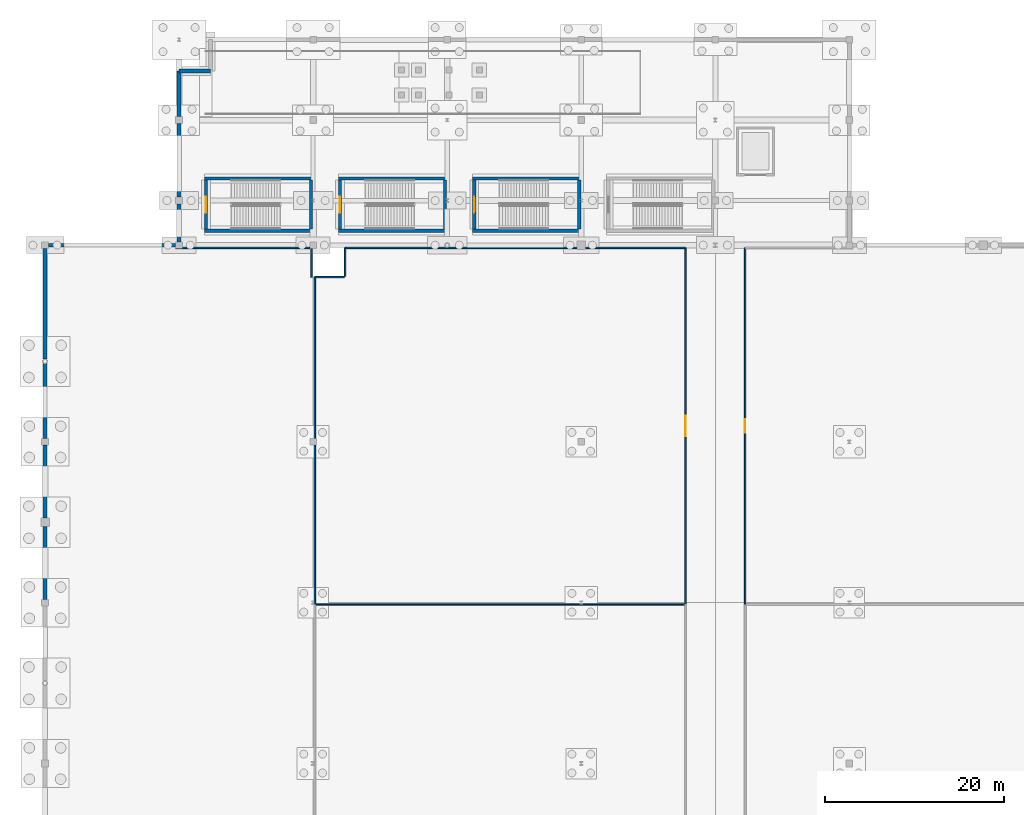
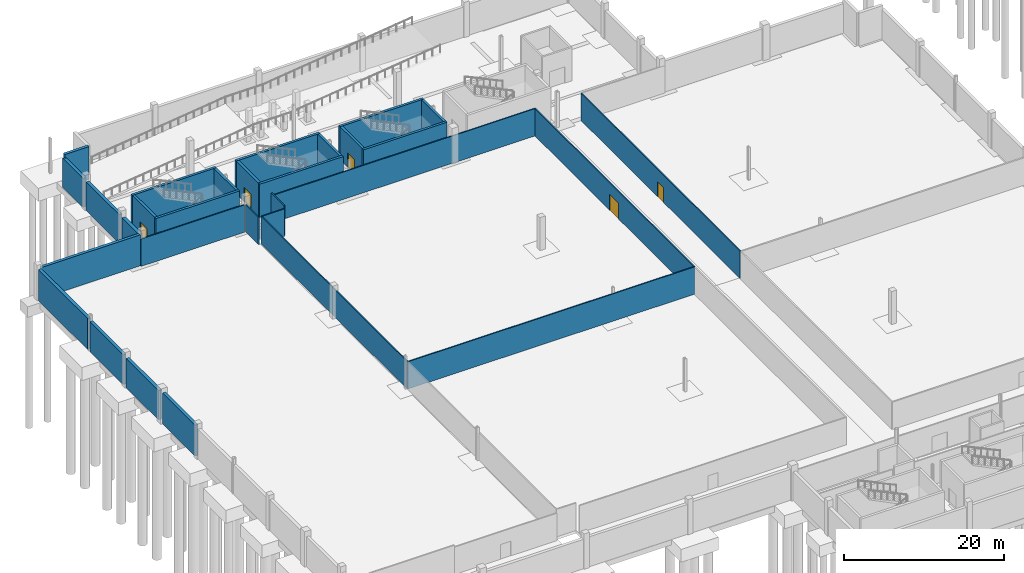
# One storey, part 40 of 58: 30 walls, 5 doors, 5 openings.
"""IFC4 building model written with IfcOpenShell, lengths in metres."""

from ifc_helpers import new_model, si_unit, direction, frame, frame_2d, origin, place, context, subcontext, project, spatial, rectangle, extrude, material, layer, layer_set, type_object, element, fill, save


model = new_model("IFC4")

# Units and contexts
model_context = context("Model", 3, precision=1e-05, world=origin(), true_north=direction((0.0, 1.0)))
body_context = subcontext(model_context, "Body", "Model", "MODEL_VIEW")
ifc_project = project(units=[si_unit("LENGTHUNIT", "METRE"), si_unit("AREAUNIT", "SQUARE_METRE"), si_unit("VOLUMEUNIT", "CUBIC_METRE"), si_unit("PLANEANGLEUNIT", "RADIAN"), si_unit("MASSUNIT", "GRAM", prefix="KILO")], contexts=[model_context])

# Site, building, storey
site_placement = place(None, origin())
site = spatial("IfcSite", under=ifc_project, at=site_placement, CompositionType="ELEMENT")
building_placement = place(site_placement, origin())
building = spatial("IfcBuilding", under=site, at=building_placement, Name="Qamarlyn Nura Convention Centre", CompositionType="ELEMENT")
storey_placement = place(building_placement, frame((0.0, 0.0, -5.39990234375)))
storey = spatial("IfcBuildingStorey", under=building, at=storey_placement, Name="B01", CompositionType="ELEMENT", Elevation=-5.39990234375)

# Walls
ifc_material_1 = material(Name="Concrete C50/60", Category="concrete")
ifc_layer_1 = layer(ifc_material_1, 0.35009765625, Name="WT-CORE-350")
ifc_layer_set_1 = layer_set([ifc_layer_1], Name="Concrete C50/60")
wall_type_1 = type_object("IfcWallType", Name="WT-CORE-350", PredefinedType="SHEAR", material=ifc_layer_set_1)
for number, where, z_axis, x_axis, name in (
    (1, (17.85009765625, 104.625, 0.0), (0.0, 0.0, 1.0), (1.0, 0.0, 0.0), "B01 stair core shear wall ST-01-S"),
    (2, (29.949951171875, 110.47509765625, 0.0), (0.0, 0.0, 1.0), (-1.0, 0.0, 0.0), "B01 stair core shear wall ST-01-N"),
):
    element("IfcWall", number, at=place(storey_placement, frame(where, z_axis=z_axis, x_axis=x_axis)), inside=storey, type_object=wall_type_1, Name=name, PredefinedType="SHEAR", context=body_context, shape_type="SweptSolid", body=[
        extrude(rectangle(XDim=12.099853515625, YDim=0.35009765625, at=frame_2d((6.0498046875, 0.0))), origin(), (0.0, 0.0, 1.0), 5.079833984375),
    ])

# Wall, opening, door
wall_1_placement = place(storey_placement, frame((18.02490234375, 110.300048828125, 0.0), z_axis=(0.0, 0.0, 1.0), x_axis=(0.0, -1.0, 0.0)))
wall_1 = element("IfcWall", 3, at=wall_1_placement, inside=storey, type_object=wall_type_1, Name="B01 stair core shear wall ST-01-W", PredefinedType="SHEAR", context=body_context, shape_type="SweptSolid", body=[
    extrude(rectangle(XDim=5.5, YDim=0.35009765625, at=frame_2d((2.75, 0.0))), origin(), (0.0, 0.0, 1.0), 5.079833984375),
])
opening_1_placement = place(wall_1_placement, frame((1.85009765625, 0.0, 0.0)))
opening_1 = element("IfcOpeningElement", 4, at=opening_1_placement, cuts=wall_1, Name="Opening DS-001", PredefinedType="OPENING", context=body_context, shape_type="SweptSolid", body=[
    extrude(rectangle(XDim=1.800048828125, YDim=2.199951171875, at=frame_2d((0.89990234375, 1.10009765625))), frame((0.0, 0.18505859375, 0.0), z_axis=(0.0, -1.0, 0.0), x_axis=(1.0, 0.0, 0.0)), (0.0, 0.0, 1.0), 0.3701171875),
])
ifc_material_2 = material(Name="Galvanised fire-rated hollow steel door", Category="steel")
door_type_1 = type_object("IfcDoorType", Name="DR-STAIR-1800", OperationType="DOUBLE_DOOR_SINGLE_SWING", PredefinedType="DOOR", material=ifc_material_2)
door_1_placement = place(opening_1_placement, origin())
door_1 = element("IfcDoor", 5, at=door_1_placement, inside=storey, type_object=door_type_1, Name="B01 exit stair door ST-01 (DS-001)", OperationType="DOUBLE_DOOR_SINGLE_SWING", OverallHeight=2.199951171875, OverallWidth=1.800048828125, PredefinedType="DOOR", context=body_context, shape_type="SweptSolid", body=[
    extrude(rectangle(XDim=1.800048828125, YDim=2.199951171875, at=frame_2d((0.89990234375, 1.10009765625))), frame((0.0, 0.02490234375, 0.0), z_axis=(0.0, -1.0, 0.0), x_axis=(1.0, 0.0, 0.0)), (0.0, 0.0, 1.0), 0.050048828125),
])
fill(opening_1, door_1)

# Walls
wall_2_placement = place(storey_placement, frame((29.77490234375, 104.800048828125, 0.0), z_axis=(0.0, 0.0, 1.0), x_axis=(0.0, 1.0, 0.0)))
element("IfcWall", 6, at=wall_2_placement, inside=storey, type_object=wall_type_1, Name="B01 stair core shear wall ST-01-E", PredefinedType="SHEAR", context=body_context, shape_type="SweptSolid", body=[
    extrude(rectangle(XDim=5.5, YDim=0.35009765625, at=frame_2d((2.75, 0.0))), origin(), (0.0, 0.0, 1.0), 5.079833984375),
])
for number, where, z_axis, x_axis, name in (
    (7, (32.85009765625, 104.625, 0.0), (0.0, 0.0, 1.0), (1.0, 0.0, 0.0), "B01 stair core shear wall ST-02-S"),
    (8, (44.949951171875, 110.47509765625, 0.0), (0.0, 0.0, 1.0), (-1.0, 0.0, 0.0), "B01 stair core shear wall ST-02-N"),
):
    element("IfcWall", number, at=place(storey_placement, frame(where, z_axis=z_axis, x_axis=x_axis)), inside=storey, type_object=wall_type_1, Name=name, PredefinedType="SHEAR", context=body_context, shape_type="SweptSolid", body=[
        extrude(rectangle(XDim=12.099853515625, YDim=0.35009765625, at=frame_2d((6.0498046875, 0.0))), origin(), (0.0, 0.0, 1.0), 5.079833984375),
    ])

# Wall, opening, door
wall_3_placement = place(storey_placement, frame((33.02490234375, 110.300048828125, 0.0), z_axis=(0.0, 0.0, 1.0), x_axis=(0.0, -1.0, 0.0)))
wall_3 = element("IfcWall", 9, at=wall_3_placement, inside=storey, type_object=wall_type_1, Name="B01 stair core shear wall ST-02-W", PredefinedType="SHEAR", context=body_context, shape_type="SweptSolid", body=[
    extrude(rectangle(XDim=5.5, YDim=0.35009765625, at=frame_2d((2.75, 0.0))), origin(), (0.0, 0.0, 1.0), 5.079833984375),
])
opening_2_placement = place(wall_3_placement, frame((1.85009765625, 0.0, 0.0)))
opening_2 = element("IfcOpeningElement", 10, at=opening_2_placement, cuts=wall_3, Name="Opening DS-004", PredefinedType="OPENING", context=body_context, shape_type="SweptSolid", body=[
    extrude(rectangle(XDim=1.800048828125, YDim=2.199951171875, at=frame_2d((0.89990234375, 1.10009765625))), frame((0.0, 0.18505859375, 0.0), z_axis=(0.0, -1.0, 0.0), x_axis=(1.0, 0.0, 0.0)), (0.0, 0.0, 1.0), 0.3701171875),
])
door_2_placement = place(opening_2_placement, origin())
door_2 = element("IfcDoor", 11, at=door_2_placement, inside=storey, type_object=door_type_1, Name="B01 exit stair door ST-02 (DS-004)", OperationType="DOUBLE_DOOR_SINGLE_SWING", OverallHeight=2.199951171875, OverallWidth=1.800048828125, PredefinedType="DOOR", context=body_context, shape_type="SweptSolid", body=[
    extrude(rectangle(XDim=1.800048828125, YDim=2.199951171875, at=frame_2d((0.89990234375, 1.10009765625))), frame((0.0, 0.02490234375, 0.0), z_axis=(0.0, -1.0, 0.0), x_axis=(1.0, 0.0, 0.0)), (0.0, 0.0, 1.0), 0.050048828125),
])
fill(opening_2, door_2)

# Walls
wall_4_placement = place(storey_placement, frame((44.77490234375, 104.800048828125, 0.0), z_axis=(0.0, 0.0, 1.0), x_axis=(0.0, 1.0, 0.0)))
element("IfcWall", 12, at=wall_4_placement, inside=storey, type_object=wall_type_1, Name="B01 stair core shear wall ST-02-E", PredefinedType="SHEAR", context=body_context, shape_type="SweptSolid", body=[
    extrude(rectangle(XDim=5.5, YDim=0.35009765625, at=frame_2d((2.75, 0.0))), origin(), (0.0, 0.0, 1.0), 5.079833984375),
])
for number, where, z_axis, x_axis, name in (
    (13, (47.85009765625, 104.625, 0.0), (0.0, 0.0, 1.0), (1.0, 0.0, 0.0), "B01 stair core shear wall ST-03-S"),
    (14, (59.949951171875, 110.47509765625, 0.0), (0.0, 0.0, 1.0), (-1.0, 0.0, 0.0), "B01 stair core shear wall ST-03-N"),
):
    element("IfcWall", number, at=place(storey_placement, frame(where, z_axis=z_axis, x_axis=x_axis)), inside=storey, type_object=wall_type_1, Name=name, PredefinedType="SHEAR", context=body_context, shape_type="SweptSolid", body=[
        extrude(rectangle(XDim=12.099853515625, YDim=0.35009765625, at=frame_2d((6.0498046875, 0.0))), origin(), (0.0, 0.0, 1.0), 5.079833984375),
    ])

# Wall, opening, door
wall_5_placement = place(storey_placement, frame((48.02490234375, 110.300048828125, 0.0), z_axis=(0.0, 0.0, 1.0), x_axis=(0.0, -1.0, 0.0)))
wall_5 = element("IfcWall", 15, at=wall_5_placement, inside=storey, type_object=wall_type_1, Name="B01 stair core shear wall ST-03-W", PredefinedType="SHEAR", context=body_context, shape_type="SweptSolid", body=[
    extrude(rectangle(XDim=5.5, YDim=0.35009765625, at=frame_2d((2.75, 0.0))), origin(), (0.0, 0.0, 1.0), 5.079833984375),
])
opening_3_placement = place(wall_5_placement, frame((1.85009765625, 0.0, 0.0)))
opening_3 = element("IfcOpeningElement", 16, at=opening_3_placement, cuts=wall_5, Name="Opening DS-007", PredefinedType="OPENING", context=body_context, shape_type="SweptSolid", body=[
    extrude(rectangle(XDim=1.800048828125, YDim=2.199951171875, at=frame_2d((0.89990234375, 1.10009765625))), frame((0.0, 0.18505859375, 0.0), z_axis=(0.0, -1.0, 0.0), x_axis=(1.0, 0.0, 0.0)), (0.0, 0.0, 1.0), 0.3701171875),
])
door_3_placement = place(opening_3_placement, origin())
door_3 = element("IfcDoor", 17, at=door_3_placement, inside=storey, type_object=door_type_1, Name="B01 exit stair door ST-03 (DS-007)", OperationType="DOUBLE_DOOR_SINGLE_SWING", OverallHeight=2.199951171875, OverallWidth=1.800048828125, PredefinedType="DOOR", context=body_context, shape_type="SweptSolid", body=[
    extrude(rectangle(XDim=1.800048828125, YDim=2.199951171875, at=frame_2d((0.89990234375, 1.10009765625))), frame((0.0, 0.02490234375, 0.0), z_axis=(0.0, -1.0, 0.0), x_axis=(1.0, 0.0, 0.0)), (0.0, 0.0, 1.0), 0.050048828125),
])
fill(opening_3, door_3)

# Walls
wall_6_placement = place(storey_placement, frame((59.77490234375, 104.800048828125, 0.0), z_axis=(0.0, 0.0, 1.0), x_axis=(0.0, 1.0, 0.0)))
element("IfcWall", 18, at=wall_6_placement, inside=storey, type_object=wall_type_1, Name="B01 stair core shear wall ST-03-E", PredefinedType="SHEAR", context=body_context, shape_type="SweptSolid", body=[
    extrude(rectangle(XDim=5.5, YDim=0.35009765625, at=frame_2d((2.75, 0.0))), origin(), (0.0, 0.0, 1.0), 5.079833984375),
])
ifc_material_3 = material(Name="Fire-rated acoustic gypsum board EI 60")
ifc_layer_2 = layer(ifc_material_3, 0.159912109375, Name="WT-PART-160")
ifc_layer_set_2 = layer_set([ifc_layer_2], Name="Fire-rated acoustic gypsum board EI 60")
wall_type_2 = type_object("IfcWallType", Name="WT-PART-160", PredefinedType="PARTITIONING", material=ifc_layer_set_2)
wall_7_placement = place(storey_placement, frame((30.199951171875, 62.800048828125, 0.0), z_axis=(0.0, 0.0, 1.0), x_axis=(1.0, 0.0, 0.0)))
element("IfcWall", 19, at=wall_7_placement, inside=storey, type_object=wall_type_2, Name="B01 interior partition B01-STR-BLK1-22-1", PredefinedType="PARTITIONING", context=body_context, shape_type="SweptSolid", body=[
    extrude(rectangle(XDim=41.4599609375, YDim=0.159912109375, at=frame_2d((20.72998046875, 0.0))), origin(), (0.0, 0.0, 1.0), 4.179931640625),
])

# Wall, opening, door
wall_8_placement = place(storey_placement, frame((78.340087890625, 62.840087890625, 0.0), z_axis=(0.0, 0.0, 1.0), x_axis=(0.0, 1.0, 0.0)))
wall_8 = element("IfcWall", 20, at=wall_8_placement, inside=storey, type_object=wall_type_2, Name="B01 interior partition B01-PLT-ELEC-21-1", PredefinedType="PARTITIONING", context=body_context, shape_type="SweptSolid", body=[
    extrude(rectangle(XDim=39.85986328125, YDim=0.159912109375, at=frame_2d((19.929931640625, 0.0))), origin(), (0.0, 0.0, 1.0), 4.179931640625),
])
opening_4_placement = place(wall_8_placement, frame((19.179931640625, 0.0, 0.0)))
opening_4 = element("IfcOpeningElement", 21, at=opening_4_placement, cuts=wall_8, Name="Opening D-B01-137", PredefinedType="OPENING", context=body_context, shape_type="SweptSolid", body=[
    extrude(rectangle(XDim=1.5, YDim=2.25, at=frame_2d((0.75, 1.125))), frame((0.0, 0.08984375, 0.0), z_axis=(0.0, -1.0, 0.0), x_axis=(1.0, 0.0, 0.0)), (0.0, 0.0, 1.0), 0.179931640625),
])
door_type_2 = type_object("IfcDoorType", Name="DR-PLANT-1500", OperationType="DOUBLE_DOOR_SINGLE_SWING", PredefinedType="DOOR", material=ifc_material_2)
door_4_placement = place(opening_4_placement, origin())
door_4 = element("IfcDoor", 22, at=door_4_placement, inside=storey, type_object=door_type_2, Name="B01 Medium Voltage Electrical Substation door D-B01-137", OperationType="DOUBLE_DOOR_SINGLE_SWING", OverallHeight=2.25, OverallWidth=1.5, PredefinedType="DOOR", context=body_context, shape_type="SweptSolid", body=[
    extrude(rectangle(XDim=1.5, YDim=2.25, at=frame_2d((0.75, 1.125))), frame((0.0, 0.02490234375, 0.0), z_axis=(0.0, -1.0, 0.0), x_axis=(1.0, 0.0, 0.0)), (0.0, 0.0, 1.0), 0.050048828125),
])
fill(opening_4, door_4)

# Walls
wall_9_placement = place(storey_placement, frame((30.199951171875, 99.419921875, 0.0), z_axis=(0.0, 0.0, 1.0), x_axis=(1.0, 0.0, 0.0)))
element("IfcWall", 23, at=wall_9_placement, inside=storey, type_object=wall_type_2, Name="B01 interior partition B01-STR-BLK2-1-1", PredefinedType="PARTITIONING", context=body_context, shape_type="SweptSolid", body=[
    extrude(rectangle(XDim=3.300048828125, YDim=0.159912109375, at=frame_2d((1.64990234375, 0.0))), origin(), (0.0, 0.0, 1.0), 4.179931640625),
])
wall_10_placement = place(storey_placement, frame((33.580078125, 99.5, 0.0), z_axis=(0.0, 0.0, 1.0), x_axis=(0.0, 1.0, 0.0)))
element("IfcWall", 24, at=wall_10_placement, inside=storey, type_object=wall_type_2, Name="B01 interior partition B01-STR-BLK2-18-1", PredefinedType="PARTITIONING", context=body_context, shape_type="SweptSolid", body=[
    extrude(rectangle(XDim=3.199951171875, YDim=0.159912109375, at=frame_2d((1.60009765625, 0.0))), origin(), (0.0, 0.0, 1.0), 4.56884765625),
])
wall_11_placement = place(storey_placement, frame((33.580078125, 102.699951171875, 0.0), z_axis=(0.0, 0.0, 1.0), x_axis=(1.0, 0.0, 0.0)))
element("IfcWall", 25, at=wall_11_placement, inside=storey, type_object=wall_type_2, Name="B01 interior partition B01-STR-BLK2-19-1", PredefinedType="PARTITIONING", context=body_context, shape_type="SweptSolid", body=[
    extrude(rectangle(XDim=38.079833984375, YDim=0.159912109375, at=frame_2d((19.0400390625, 0.0))), origin(), (0.0, 0.0, 1.0), 4.179931640625),
])

# Wall, opening, door
wall_12_placement = place(storey_placement, frame((71.659912109375, 102.699951171875, 0.0), z_axis=(0.0, 0.0, 1.0), x_axis=(0.0, -1.0, 0.0)))
wall_12 = element("IfcWall", 26, at=wall_12_placement, inside=storey, type_object=wall_type_2, Name="B01 interior partition B01-STR-BLK2-20-1", PredefinedType="PARTITIONING", context=body_context, shape_type="SweptSolid", body=[
    extrude(rectangle(XDim=39.85986328125, YDim=0.159912109375, at=frame_2d((19.929931640625, 0.0))), origin(), (0.0, 0.0, 1.0), 4.179931640625),
])
opening_5_placement = place(wall_12_placement, frame((18.804931640625, 0.0, 0.0)))
opening_5 = element("IfcOpeningElement", 27, at=opening_5_placement, cuts=wall_12, Name="Opening D-B01-138", PredefinedType="OPENING", context=body_context, shape_type="SweptSolid", body=[
    extrude(rectangle(XDim=2.25, YDim=2.39990234375, at=frame_2d((1.125, 1.199951171875))), frame((0.0, 0.08984375, 0.0), z_axis=(0.0, -1.0, 0.0), x_axis=(1.0, 0.0, 0.0)), (0.0, 0.0, 1.0), 0.179931640625),
])
ifc_material_4 = material(Name="Acoustic walnut timber leaf", Category="wood")
door_type_3 = type_object("IfcDoorType", Name="DR-HALL-2250", OperationType="DOUBLE_DOOR_SINGLE_SWING", PredefinedType="DOOR", material=ifc_material_4)
door_5_placement = place(opening_5_placement, origin())
door_5 = element("IfcDoor", 28, at=door_5_placement, inside=storey, type_object=door_type_3, Name="B01 Exhibition Crate Storage door D-B01-138", OperationType="DOUBLE_DOOR_SINGLE_SWING", OverallHeight=2.39990234375, OverallWidth=2.25, PredefinedType="DOOR", context=body_context, shape_type="SweptSolid", body=[
    extrude(rectangle(XDim=2.25, YDim=2.39990234375, at=frame_2d((1.125, 1.199951171875))), frame((0.0, 0.02490234375, 0.0), z_axis=(0.0, -1.0, 0.0), x_axis=(1.0, 0.0, 0.0)), (0.0, 0.0, 1.0), 0.050048828125),
])
fill(opening_5, door_5)

# Walls
wall_13_placement = place(storey_placement, frame((30.199951171875, 62.840087890625, 0.0), z_axis=(0.0, 0.0, 1.0), x_axis=(0.0, 1.0, 0.0)))
element("IfcWall", 29, at=wall_13_placement, inside=storey, type_object=wall_type_2, Name="B01 interior partition B01-STR-BLK2-22-1", PredefinedType="PARTITIONING", context=body_context, shape_type="SweptSolid", body=[
    extrude(rectangle(XDim=36.579833984375, YDim=0.159912109375, at=frame_2d((18.2900390625, 0.0))), origin(), (0.0, 0.0, 1.0), 4.179931640625),
])
wall_14_placement = place(storey_placement, frame((14.625, 102.699951171875, 0.0), z_axis=(0.0, 0.0, 1.0), x_axis=(1.0, 0.0, 0.0)))
element("IfcWall", 30, at=wall_14_placement, inside=storey, type_object=wall_type_2, Name="B01 interior partition B01-STR-BLK0-1-2", PredefinedType="PARTITIONING", context=body_context, shape_type="SweptSolid", body=[
    extrude(rectangle(XDim=14.9951171875, YDim=0.159912109375, at=frame_2d((7.49755859375, 0.0))), origin(), (0.0, 0.0, 1.0), 4.179931640625),
])
wall_15_placement = place(storey_placement, frame((29.800048828125, 102.6201171875, 0.0), z_axis=(0.0, 0.0, 1.0), x_axis=(0.0, -1.0, 0.0)))
element("IfcWall", 31, at=wall_15_placement, inside=storey, type_object=wall_type_2, Name="B01 interior partition B01-STR-BLK0-2-1", PredefinedType="PARTITIONING", context=body_context, shape_type="SweptSolid", body=[
    extrude(rectangle(XDim=3.2001953125, YDim=0.159912109375, at=frame_2d((1.60009765625, 0.0))), origin(), (0.0, 0.0, 1.0), 4.179931640625),
])
ifc_material_5 = material(Name="Concrete C40/50", Category="concrete")
ifc_layer_3 = layer(ifc_material_5, 0.419921875, Name="WT-RET-420")
ifc_layer_set_3 = layer_set([ifc_layer_3], Name="Concrete C40/50")
wall_type_3 = type_object("IfcWallType", Name="WT-RET-420", PredefinedType="USERDEFINED", material=ifc_layer_set_3)
wall_16_placement = place(storey_placement, frame((0.0, 63.375, 0.0), z_axis=(0.0, 0.0, 1.0), x_axis=(0.0, 1.0, 0.0)))
element("IfcWall", 32, at=wall_16_placement, inside=storey, type_object=wall_type_3, Name="B01 perimeter retaining wall 08", ObjectType="RETAININGWALL", PredefinedType="USERDEFINED", context=body_context, shape_type="SweptSolid", body=[
    extrude(rectangle(XDim=8.14990234375, YDim=0.419921875, at=frame_2d((4.074951171875, 0.0))), origin(), (0.0, 0.0, 1.0), 4.73486328125),
])
wall_17_placement = place(storey_placement, frame((0.0, 81.375, 0.0), z_axis=(0.0, 0.0, 1.0), x_axis=(0.0, 1.0, 0.0)))
element("IfcWall", 33, at=wall_17_placement, inside=storey, type_object=wall_type_3, Name="B01 perimeter retaining wall 10", ObjectType="RETAININGWALL", PredefinedType="USERDEFINED", context=body_context, shape_type="SweptSolid", body=[
    extrude(rectangle(XDim=8.37109375, YDim=0.419921875, at=frame_2d((4.185546875, 0.0))), origin(), (0.0, 0.0, 1.0), 4.56884765625),
])
wall_18_placement = place(storey_placement, frame((0.375, 103.0, 0.0), z_axis=(0.0, 0.0, 1.0), x_axis=(1.0, 0.0, 0.0)))
element("IfcWall", 34, at=wall_18_placement, inside=storey, type_object=wall_type_3, Name="B01 perimeter retaining wall 12", ObjectType="RETAININGWALL", PredefinedType="USERDEFINED", context=body_context, shape_type="SweptSolid", body=[
    extrude(rectangle(XDim=14.25, YDim=0.419921875, at=frame_2d((7.125, 0.0))), origin(), (0.0, 0.0, 1.0), 4.73486328125),
])
wall_19_placement = place(storey_placement, frame((15.0, 108.375, 0.0), z_axis=(0.0, 0.0, 1.0), x_axis=(0.0, 1.0, 0.0)))
element("IfcWall", 35, at=wall_19_placement, inside=storey, type_object=wall_type_3, Name="B01 perimeter retaining wall 14", ObjectType="RETAININGWALL", PredefinedType="USERDEFINED", context=body_context, shape_type="SweptSolid", body=[
    extrude(rectangle(XDim=8.25, YDim=0.419921875, at=frame_2d((4.125, 0.0))), origin(), (0.0, 0.0, 1.0), 4.380859375),
])
wall_20_placement = place(storey_placement, frame((15.0, 122.5, 0.0), z_axis=(0.0, 0.0, 1.0), x_axis=(1.0, 0.0, 0.0)))
element("IfcWall", 36, at=wall_20_placement, inside=storey, type_object=wall_type_3, Name="B01 perimeter retaining wall 16", ObjectType="RETAININGWALL", PredefinedType="USERDEFINED", context=body_context, shape_type="SweptSolid", body=[
    extrude(rectangle(XDim=3.5, YDim=0.419921875, at=frame_2d((1.75, 0.0))), origin(), (0.0, 0.0, 1.0), 5.0498046875),
])
ifc_layer_4 = layer(ifc_material_5, 0.449951171875, Name="WT-RET-450")
ifc_layer_set_4 = layer_set([ifc_layer_4], Name="Concrete C40/50")
wall_type_4 = type_object("IfcWallType", Name="WT-RET-450", PredefinedType="USERDEFINED", material=ifc_layer_set_4)
wall_21_placement = place(storey_placement, frame((0.0, 72.47509765625, 0.0), z_axis=(0.0, 0.0, 1.0), x_axis=(0.0, 1.0, 0.0)))
element("IfcWall", 37, at=wall_21_placement, inside=storey, type_object=wall_type_4, Name="B01 perimeter retaining wall 09", ObjectType="RETAININGWALL", PredefinedType="USERDEFINED", context=body_context, shape_type="SweptSolid", body=[
    extrude(rectangle(XDim=8.14990234375, YDim=0.449951171875, at=frame_2d((4.074951171875, 0.0))), origin(), (0.0, 0.0, 1.0), 4.495849609375),
])
wall_22_placement = place(storey_placement, frame((0.0, 90.25390625, 0.0), z_axis=(0.0, 0.0, 1.0), x_axis=(0.0, 1.0, 0.0)))
element("IfcWall", 38, at=wall_22_placement, inside=storey, type_object=wall_type_4, Name="B01 perimeter retaining wall 11", ObjectType="RETAININGWALL", PredefinedType="USERDEFINED", context=body_context, shape_type="SweptSolid", body=[
    extrude(rectangle(XDim=12.37109375, YDim=0.449951171875, at=frame_2d((6.185546875, 0.0))), origin(), (0.0, 0.0, 1.0), 4.73486328125),
])
wall_23_placement = place(storey_placement, frame((15.0, 103.375, 0.0), z_axis=(0.0, 0.0, 1.0), x_axis=(0.0, 1.0, 0.0)))
element("IfcWall", 39, at=wall_23_placement, inside=storey, type_object=wall_type_4, Name="B01 perimeter retaining wall 13", ObjectType="RETAININGWALL", PredefinedType="USERDEFINED", context=body_context, shape_type="SweptSolid", body=[
    extrude(rectangle(XDim=4.25, YDim=0.449951171875, at=frame_2d((2.125, 0.0))), origin(), (0.0, 0.0, 1.0), 4.369873046875),
])
wall_24_placement = place(storey_placement, frame((15.0, 117.375, 0.0), z_axis=(0.0, 0.0, 1.0), x_axis=(0.0, 1.0, 0.0)))
element("IfcWall", 40, at=wall_24_placement, inside=storey, type_object=wall_type_4, Name="B01 perimeter retaining wall 15", ObjectType="RETAININGWALL", PredefinedType="USERDEFINED", context=body_context, shape_type="SweptSolid", body=[
    extrude(rectangle(XDim=5.125, YDim=0.449951171875, at=frame_2d((2.5625, 0.0))), origin(), (0.0, 0.0, 1.0), 4.453857421875),
])

save(model, "model.ifc")
